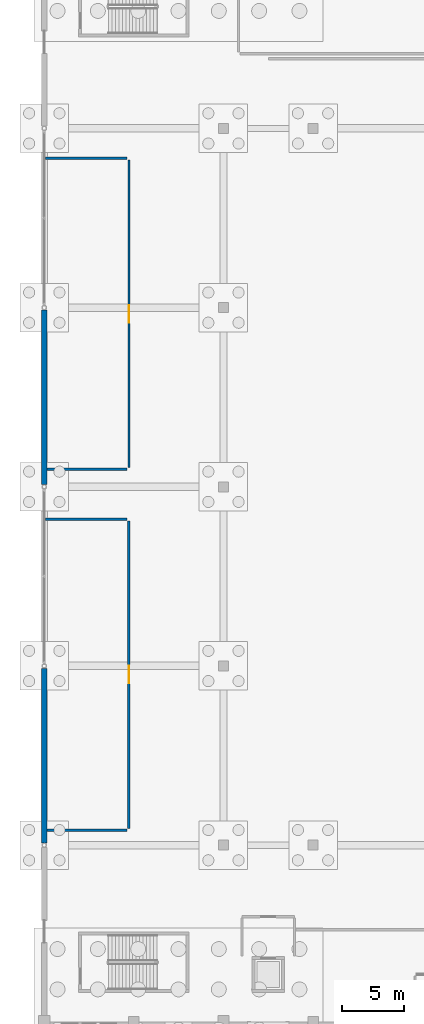
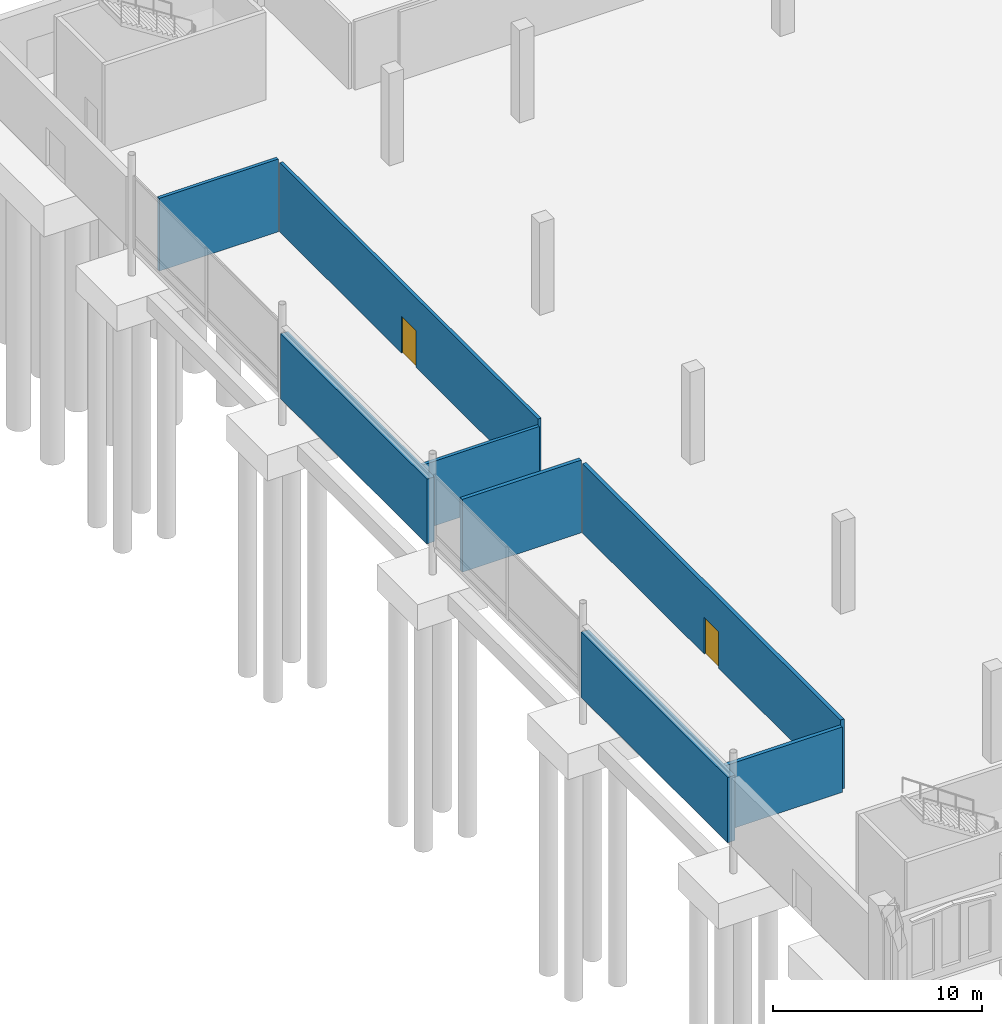
# One storey, part 136 of 192: 8 walls, 2 doors, 2 openings.
"""IFC4 building model written with IfcOpenShell, lengths in metres."""

from ifc_helpers import new_model, si_unit, direction, frame, frame_2d, origin, place, context, subcontext, project, spatial, rectangle, extrude, material, layer, layer_set, type_object, element, fill, save


model = new_model("IFC4")

# Units and contexts
model_context = context("Model", 3, precision=1e-05, world=origin(), true_north=direction((0.0, 1.0)))
body_context = subcontext(model_context, "Body", "Model", "MODEL_VIEW")
ifc_project = project(units=[si_unit("LENGTHUNIT", "METRE"), si_unit("AREAUNIT", "SQUARE_METRE"), si_unit("VOLUMEUNIT", "CUBIC_METRE"), si_unit("PLANEANGLEUNIT", "RADIAN"), si_unit("MASSUNIT", "GRAM", prefix="KILO")], contexts=[model_context])

# Site, building, storey
site_placement = place(None, origin())
site = spatial("IfcSite", under=ifc_project, at=site_placement, CompositionType="ELEMENT")
building_placement = place(site_placement, origin())
building = spatial("IfcBuilding", under=site, at=building_placement, Name="Cendralis Lancet Convention Centre", CompositionType="ELEMENT")
storey_placement = place(building_placement, origin())
storey = spatial("IfcBuildingStorey", under=building, at=storey_placement, Name="L00", CompositionType="ELEMENT", Elevation=0.0)

# Walls
ifc_material_1 = material(Name="Buff sandstone ashlar and Concrete G40 (C40/50)", Category="masonry")
ifc_layer_1 = layer(ifc_material_1, 0.419921875, Name="Buff sandstone ashlar and Concrete G40 (C40/50)")
ifc_layer_set_1 = layer_set([ifc_layer_1], Name="Buff sandstone ashlar and Concrete G40 (C40/50)")
wall_type_1 = type_object("IfcWallType", Name="ARC-EW-W420", PredefinedType="STANDARD", material=ifc_layer_set_1)
wall_1_placement = place(storey_placement, frame((0.0, 64.98583984375, 0.0), z_axis=(0.0, 0.0, 1.0), x_axis=(0.0, 1.0, 0.0)))
element("IfcWall", 1, at=wall_1_placement, inside=storey, type_object=wall_type_1, Name="L00 V1 Exterior Wall EW-01 #0029", PredefinedType="STANDARD", context=body_context, shape_type="SweptSolid", body=[
    extrude(rectangle(XDim=14.0283203125, YDim=0.419921875, at=frame_2d((7.01416015625, 0.0))), origin(), (0.0, 0.0, 1.0), 3.81494140625),
])
wall_2_placement = place(storey_placement, frame((0.0, 93.785888671875, 0.0), z_axis=(0.0, 0.0, 1.0), x_axis=(0.0, 1.0, 0.0)))
element("IfcWall", 2, at=wall_2_placement, inside=storey, type_object=wall_type_1, Name="L00 V1 Exterior Wall EW-01 #0030", PredefinedType="STANDARD", context=body_context, shape_type="SweptSolid", body=[
    extrude(rectangle(XDim=14.0283203125, YDim=0.419921875, at=frame_2d((7.01416015625, 0.0))), origin(), (0.0, 0.0, 1.0), 3.784912109375),
])
ifc_material_2 = material(Name="Acoustic fire-rated gypsum board on steel studs", Category="steel")
ifc_layer_2 = layer(ifc_material_2, 0.179931640625, Name="Acoustic fire-rated gypsum board on steel studs")
ifc_layer_set_2 = layer_set([ifc_layer_2], Name="Acoustic fire-rated gypsum board on steel studs")
wall_type_2 = type_object("IfcWallType", Name="ARC-IW-P180", PredefinedType="PARTITIONING", material=ifc_layer_set_2)
wall_3_placement = place(storey_placement, frame((0.219970703125, 95.0, 0.0), z_axis=(0.0, 0.0, 1.0), x_axis=(1.0, 0.0, 0.0)))
element("IfcWall", 3, at=wall_3_placement, inside=storey, type_object=wall_type_2, Name="L00 Interior Partition IW-02 #0013", PredefinedType="PARTITIONING", context=body_context, shape_type="SweptSolid", body=[
    extrude(rectangle(XDim=6.43994140625, YDim=0.179931640625, at=frame_2d((3.219970703125, 0.0))), origin(), (0.0, 0.0, 1.0), 3.784912109375),
])

# Wall, opening, door
wall_4_placement = place(storey_placement, frame((6.800048828125, 95.139892578125, 0.0), z_axis=(0.0, 0.0, 1.0), x_axis=(0.0, 1.0, 0.0)))
wall_4 = element("IfcWall", 4, at=wall_4_placement, inside=storey, type_object=wall_type_2, Name="L00 Interior Partition IW-02 #0014", PredefinedType="PARTITIONING", context=body_context, shape_type="SweptSolid", body=[
    extrude(rectangle(XDim=24.72021484375, YDim=0.179931640625, at=frame_2d((12.360107421875, 0.0))), origin(), (0.0, 0.0, 1.0), 4.054931640625),
])
opening_1_placement = place(wall_4_placement, frame((11.659912109375, 0.0, 0.0)))
opening_1 = element("IfcOpeningElement", 5, at=opening_1_placement, cuts=wall_4, Name="Opening ID-14", PredefinedType="OPENING", context=body_context, shape_type="SweptSolid", body=[
    extrude(rectangle(XDim=1.39990234375, YDim=2.14990234375, at=frame_2d((0.699951171875, 1.074951171875))), frame((0.0, 0.099853515625, 0.0), z_axis=(0.0, -1.0, 0.0), x_axis=(1.0, 0.0, 0.0)), (0.0, 0.0, 1.0), 0.199951171875),
])
ifc_material_3 = material(Name="Acoustic Chilean lenga timber and steel fire leaf", Category="steel")
door_type = type_object("IfcDoorType", Name="ARC-DR-DB14", OperationType="NOTDEFINED", PredefinedType="DOOR", material=ifc_material_3)
door_1_placement = place(opening_1_placement, origin())
door_1 = element("IfcDoor", 6, at=door_1_placement, inside=storey, type_object=door_type, Name="L00-D054 L00 Interior Door ID-14 #0004", OperationType="DOUBLE_DOOR_SINGLE_SWING", OverallHeight=2.14990234375, OverallWidth=1.39990234375, PredefinedType="DOOR", context=body_context, shape_type="SweptSolid", body=[
    extrude(rectangle(XDim=1.39990234375, YDim=2.14990234375, at=frame_2d((0.699951171875, 1.074951171875))), frame((0.0, 0.02490234375, 0.0), z_axis=(0.0, -1.0, 0.0), x_axis=(1.0, 0.0, 0.0)), (0.0, 0.0, 1.0), 0.050048828125),
])
fill(opening_1, door_1)

# Walls
wall_5_placement = place(storey_placement, frame((0.080078125, 120.0, 0.0), z_axis=(0.0, 0.0, 1.0), x_axis=(1.0, 0.0, 0.0)))
element("IfcWall", 7, at=wall_5_placement, inside=storey, type_object=wall_type_2, Name="L00 Interior Partition IW-02 #0015", PredefinedType="PARTITIONING", context=body_context, shape_type="SweptSolid", body=[
    extrude(rectangle(XDim=6.579833984375, YDim=0.179931640625, at=frame_2d((3.2900390625, 0.0))), origin(), (0.0, 0.0, 1.0), 4.2548828125),
])
ifc_layer_3 = layer(ifc_material_2, 0.2099609375, Name="Acoustic fire-rated gypsum board on steel studs")
ifc_layer_set_3 = layer_set([ifc_layer_3], Name="Acoustic fire-rated gypsum board on steel studs")
wall_type_3 = type_object("IfcWallType", Name="ARC-IW-P210", PredefinedType="PARTITIONING", material=ifc_layer_set_3)
wall_6_placement = place(storey_placement, frame((0.219970703125, 66.0, 0.0), z_axis=(0.0, 0.0, 1.0), x_axis=(1.0, 0.0, 0.0)))
element("IfcWall", 8, at=wall_6_placement, inside=storey, type_object=wall_type_3, Name="L00 Interior Partition IW-01 #0010", PredefinedType="PARTITIONING", context=body_context, shape_type="SweptSolid", body=[
    extrude(rectangle(XDim=6.43994140625, YDim=0.2099609375, at=frame_2d((3.219970703125, 0.0))), origin(), (0.0, 0.0, 1.0), 3.81494140625),
])

# Wall, opening, door
wall_7_placement = place(storey_placement, frame((6.800048828125, 66.139892578125, 0.0), z_axis=(0.0, 0.0, 1.0), x_axis=(0.0, 1.0, 0.0)))
wall_7 = element("IfcWall", 9, at=wall_7_placement, inside=storey, type_object=wall_type_3, Name="L00 Interior Partition IW-01 #0011", PredefinedType="PARTITIONING", context=body_context, shape_type="SweptSolid", body=[
    extrude(rectangle(XDim=24.72021484375, YDim=0.2099609375, at=frame_2d((12.360107421875, 0.0))), origin(), (0.0, 0.0, 1.0), 4.054931640625),
])
opening_2_placement = place(wall_7_placement, frame((11.659912109375, 0.0, 0.0)))
opening_2 = element("IfcOpeningElement", 10, at=opening_2_placement, cuts=wall_7, Name="Opening ID-14", PredefinedType="OPENING", context=body_context, shape_type="SweptSolid", body=[
    extrude(rectangle(XDim=1.39990234375, YDim=2.14990234375, at=frame_2d((0.699951171875, 1.074951171875))), frame((0.0, 0.114990234375, 0.0), z_axis=(0.0, -1.0, 0.0), x_axis=(1.0, 0.0, 0.0)), (0.0, 0.0, 1.0), 0.22998046875),
])
door_2_placement = place(opening_2_placement, frame((1.39990234375, 0.0, 0.0), z_axis=(0.0, 0.0, 1.0), x_axis=(-1.0, 0.0, 0.0)))
door_2 = element("IfcDoor", 11, at=door_2_placement, inside=storey, type_object=door_type, Name="L00-D053 L00 Interior Door ID-14 #0003", OperationType="DOUBLE_DOOR_SINGLE_SWING", OverallHeight=2.14990234375, OverallWidth=1.39990234375, PredefinedType="DOOR", context=body_context, shape_type="SweptSolid", body=[
    extrude(rectangle(XDim=1.39990234375, YDim=2.14990234375, at=frame_2d((0.699951171875, 1.074951171875))), frame((0.0, 0.02490234375, 0.0), z_axis=(0.0, -1.0, 0.0), x_axis=(1.0, 0.0, 0.0)), (0.0, 0.0, 1.0), 0.050048828125),
])
fill(opening_2, door_2)

# Wall
wall_8_placement = place(storey_placement, frame((0.080078125, 91.0, 0.0), z_axis=(0.0, 0.0, 1.0), x_axis=(1.0, 0.0, 0.0)))
element("IfcWall", 12, at=wall_8_placement, inside=storey, type_object=wall_type_3, Name="L00 Interior Partition IW-01 #0012", PredefinedType="PARTITIONING", context=body_context, shape_type="SweptSolid", body=[
    extrude(rectangle(XDim=6.579833984375, YDim=0.2099609375, at=frame_2d((3.2900390625, 0.0))), origin(), (0.0, 0.0, 1.0), 4.2548828125),
])

save(model, "model.ifc")
